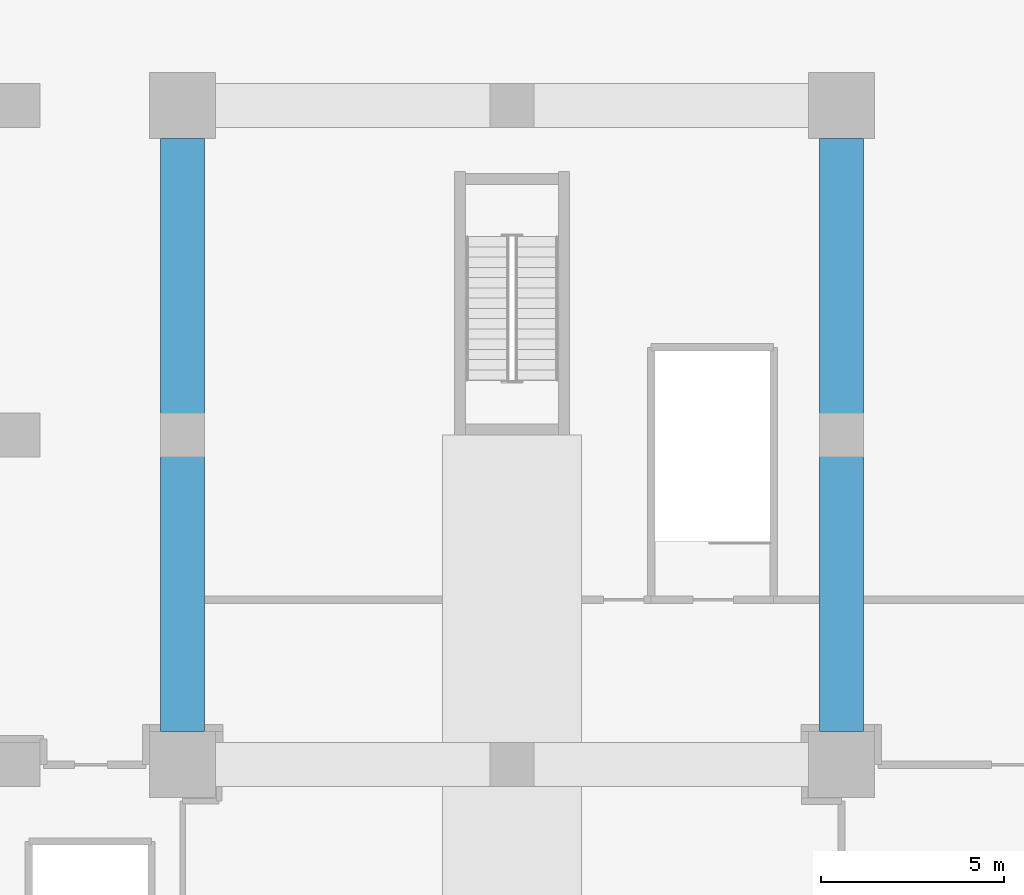
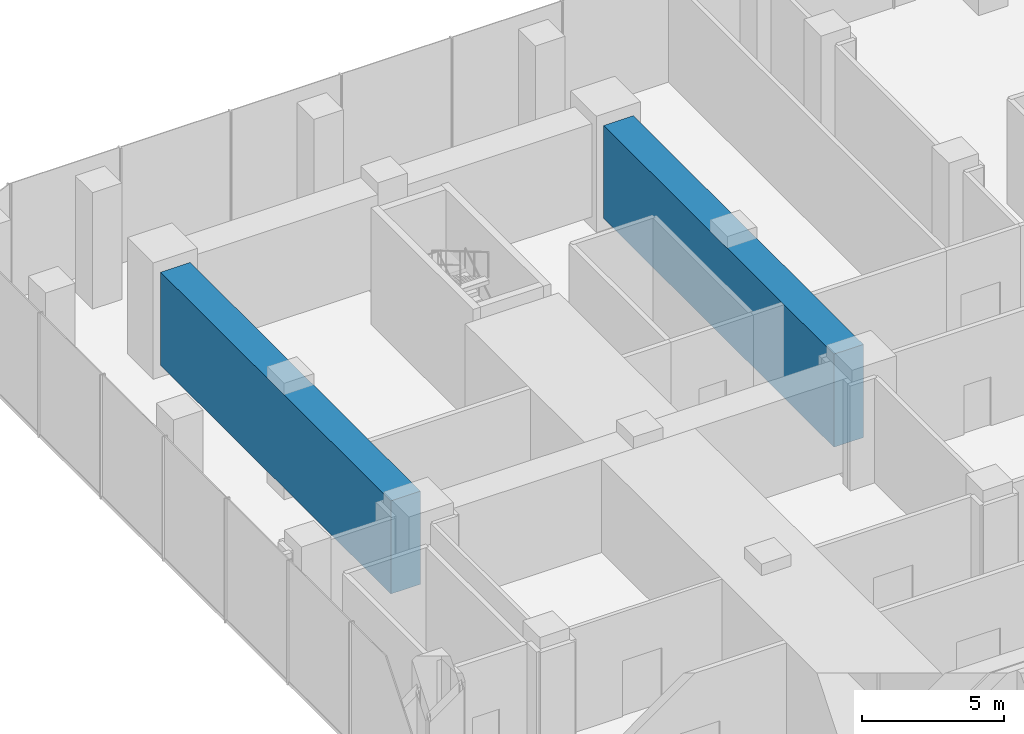
# One storey, part 11 of 36: 2 beams.
"""IFC4 building model written with IfcOpenShell, lengths in metres."""

from ifc_helpers import new_model, si_unit, direction, frame, origin, origin_2d, place, context, subcontext, project, spatial, rectangle, extrude, material, material_profile, profile_set, type_object, element, save


model = new_model("IFC4")

# Units and contexts
model_context = context("Model", 3, precision=1e-05, world=origin(), true_north=direction((0.0, 1.0)))
body_context = subcontext(model_context, "Body", "Model", "MODEL_VIEW")
ifc_project = project(units=[si_unit("LENGTHUNIT", "METRE"), si_unit("AREAUNIT", "SQUARE_METRE"), si_unit("VOLUMEUNIT", "CUBIC_METRE"), si_unit("PLANEANGLEUNIT", "RADIAN"), si_unit("MASSUNIT", "GRAM", prefix="KILO")], contexts=[model_context])

# Site, building, storey
site_placement = place(None, origin())
site = spatial("IfcSite", under=ifc_project, at=site_placement, CompositionType="ELEMENT")
building_placement = place(site_placement, origin())
building = spatial("IfcBuilding", under=site, at=building_placement, Name="Plateau Cross Towers", CompositionType="ELEMENT")
storey_placement = place(building_placement, frame((0.0, 0.0, 21.800048828125)))
storey = spatial("IfcBuildingStorey", under=building, at=storey_placement, Name="L04", CompositionType="ELEMENT", Elevation=21.800048828125)

# Beams
ifc_material = material(Name="Concrete C60/75", Category="concrete")
ifc_material_profile = material_profile(ifc_material, rectangle(XDim=1.199951171875, YDim=4.0, at=origin_2d()), Name="RC 1200x4000")
ifc_profile_set = profile_set([ifc_material_profile], Name="Concrete C60/75")
beam_type = type_object("IfcBeamType", Name="Transfer girder RC 1200x4000", PredefinedType="BEAM", material=ifc_profile_set)
for number, where, z_axis, x_axis, name in (
    (1, (0.0, 36.89990234375, 2.5), (0.0, 1.0, 0.0), (-1.0, 0.0, 0.0), "TG-W-1"),
    (2, (18.0, 36.89990234375, 2.5), (0.0, 1.0, 0.0), (-1.0, 0.0, 0.0), "TG-W-2"),
):
    element("IfcBeam", number, at=place(storey_placement, frame(where, z_axis=z_axis, x_axis=x_axis)), inside=storey, type_object=beam_type, Name=name, PredefinedType="BEAM", context=body_context, shape_type="SweptSolid", body=[
        extrude(rectangle(XDim=1.199951171875, YDim=4.0, at=origin_2d()), origin(), (0.0, 0.0, 1.0), 16.2001953125),
    ])

save(model, "model.ifc")
